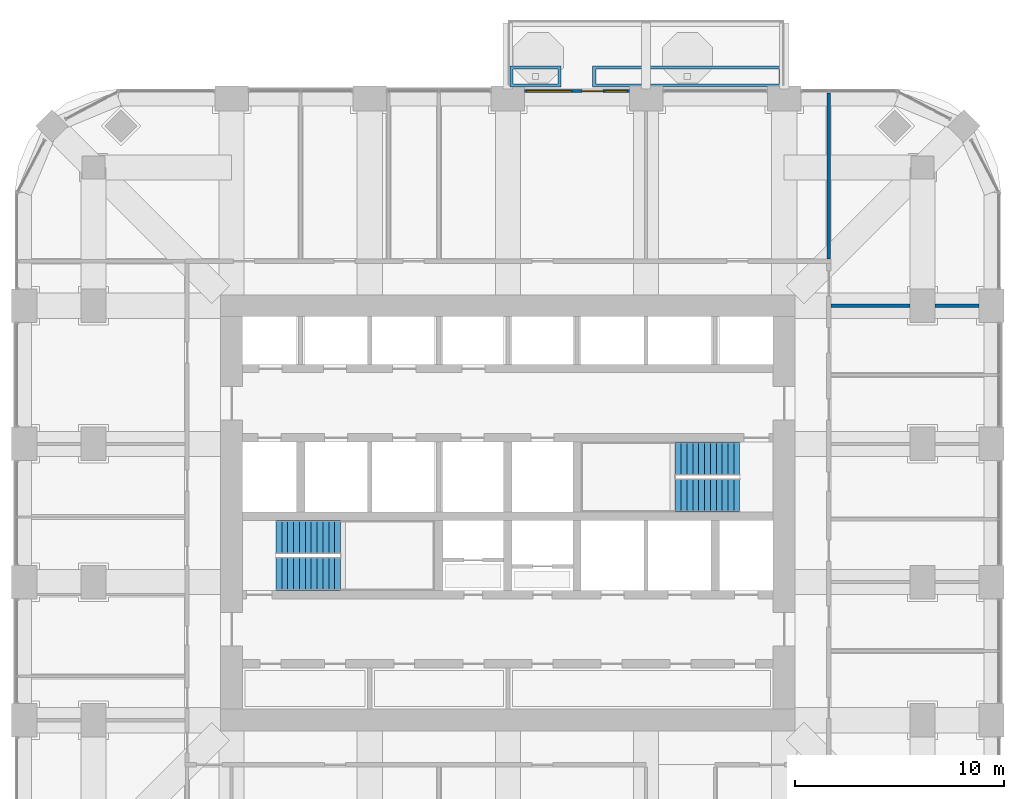
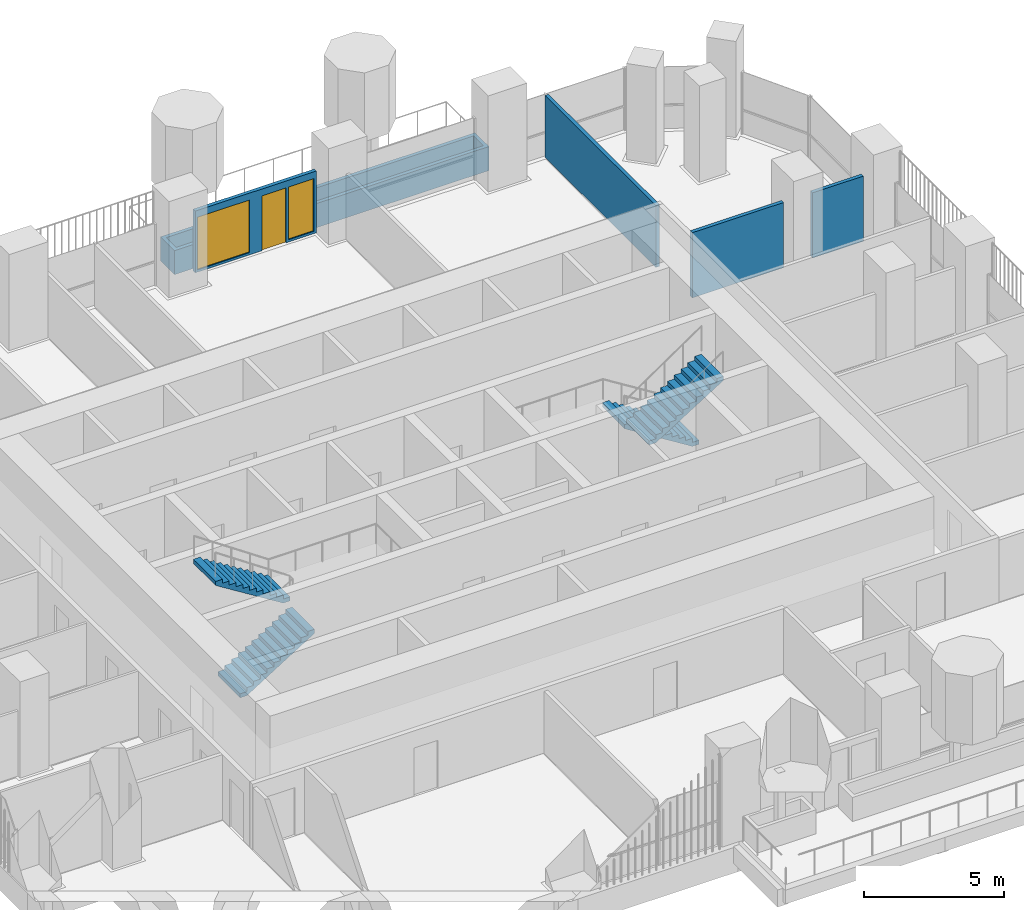
# One storey, part 16 of 20: 6 walls, 4 stair flights, 2 windows, 1 door, 3 openings, 2 elements without a shape of their own.
"""IFC4 building model written with IfcOpenShell, lengths in metres."""

from ifc_helpers import new_model, si_unit, direction, frame, frame_2d, origin, place, context, subcontext, project, spatial, polyline, rectangle, outline, extrude, material, layer, layer_set, type_object, element, fill, aggregate, save


model = new_model("IFC4")

# Units and contexts
model_context = context("Model", 3, precision=1e-05, world=origin(), true_north=direction((0.0, 1.0)))
body_context = subcontext(model_context, "Body", "Model", "MODEL_VIEW")
ifc_project = project(units=[si_unit("LENGTHUNIT", "METRE"), si_unit("AREAUNIT", "SQUARE_METRE"), si_unit("VOLUMEUNIT", "CUBIC_METRE"), si_unit("PLANEANGLEUNIT", "RADIAN"), si_unit("MASSUNIT", "GRAM", prefix="KILO")], contexts=[model_context])

# Site, building, storey
site_placement = place(None, origin())
site = spatial("IfcSite", under=ifc_project, at=site_placement, CompositionType="ELEMENT")
building_placement = place(site_placement, origin())
building = spatial("IfcBuilding", under=site, at=building_placement, Name="Cobogo Forest Laboratory Tower", CompositionType="ELEMENT")
storey_placement = place(building_placement, frame((0.0, 0.0, 180.89990234375)))
storey = spatial("IfcBuildingStorey", under=building, at=storey_placement, Name="L41", CompositionType="ELEMENT", Elevation=180.89990234375)

# Wall, openings, door, windows
ifc_material_1 = material(Name="Aluminium framed glazed screen", Category="aluminium")
ifc_layer_1 = layer(ifc_material_1, 0.14990234375)
ifc_layer_set_1 = layer_set([ifc_layer_1], Name="GS1 glazed door screen 150")
wall_type_1 = type_object("IfcWallType", Name="GS1 glazed door screen 150", PredefinedType="SOLIDWALL", material=ifc_layer_set_1)
wall_1_placement = place(storey_placement, frame((32.199951171875, 43.25, 0.0), z_axis=(0.0, 0.0, 1.0), x_axis=(-1.0, 0.0, 0.0)))
wall_1 = element("IfcWall", 1, at=wall_1_placement, inside=storey, type_object=wall_type_1, Name="Door screen BAL-N1 L41", PredefinedType="SOLIDWALL", context=body_context, shape_type="SweptSolid", body=[
    extrude(rectangle(XDim=5.0, YDim=0.14990234375, at=frame_2d((2.5, 0.0))), origin(), (0.0, 0.0, 1.0), 2.7001953125),
])
opening_1_placement = place(wall_1_placement, frame((1.25, 0.0, 0.0)))
opening_1 = element("IfcOpeningElement", 2, at=opening_1_placement, cuts=wall_1, Name="Opening L41-D43", PredefinedType="OPENING", context=body_context, shape_type="SweptSolid", body=[
    extrude(rectangle(XDim=1.0, YDim=2.39990234375, at=frame_2d((0.5, 1.199951171875))), frame((0.0, 0.0849609375, 0.0), z_axis=(0.0, -1.0, 0.0), x_axis=(1.0, 0.0, 0.0)), (0.0, 0.0, 1.0), 0.169921875),
])
opening_2_placement = place(wall_1_placement, frame((0.10009765625, 0.0, 0.10009765625)))
opening_2 = element("IfcOpeningElement", 3, at=opening_2_placement, cuts=wall_1, Name="Opening L41-W04", PredefinedType="OPENING", context=body_context, shape_type="SweptSolid", body=[
    extrude(rectangle(XDim=1.050048828125, YDim=2.300048828125, at=frame_2d((0.52490234375, 1.14990234375))), frame((0.0, 0.0849609375, 0.0), z_axis=(0.0, -1.0, 0.0), x_axis=(1.0, 0.0, 0.0)), (0.0, 0.0, 1.0), 0.169921875),
])
opening_3_placement = place(wall_1_placement, frame((2.75, 0.0, 0.10009765625)))
opening_3 = element("IfcOpeningElement", 4, at=opening_3_placement, cuts=wall_1, Name="Opening L41-W03", PredefinedType="OPENING", context=body_context, shape_type="SweptSolid", body=[
    extrude(rectangle(XDim=2.14990234375, YDim=2.300048828125, at=frame_2d((1.074951171875, 1.14990234375))), frame((0.0, 0.0849609375, 0.0), z_axis=(0.0, -1.0, 0.0), x_axis=(1.0, 0.0, 0.0)), (0.0, 0.0, 1.0), 0.169921875),
])
ifc_material_2 = material(Name="Aluminium glazed door", Category="aluminium")
door_type = type_object("IfcDoorType", Name="DB1 balcony door 1000 glazed", OperationType="SINGLE_SWING_LEFT", PredefinedType="DOOR", material=ifc_material_2)
door_placement = place(opening_1_placement, origin())
door = element("IfcDoor", 5, at=door_placement, inside=storey, type_object=door_type, Name="Door L41-BAL-N1", OperationType="SINGLE_SWING_LEFT", OverallHeight=2.39990234375, OverallWidth=1.0, PredefinedType="DOOR", context=body_context, shape_type="SweptSolid", body=[
    extrude(rectangle(XDim=1.0, YDim=2.39990234375, at=frame_2d((0.5, 1.199951171875))), frame((0.0, 0.02490234375, 0.0), z_axis=(0.0, -1.0, 0.0), x_axis=(1.0, 0.0, 0.0)), (0.0, 0.0, 1.0), 0.050048828125),
])
fill(opening_1, door)
ifc_material_3 = material(Name="Aluminium framed glazing", Category="aluminium")
window_type_1 = type_object("IfcWindowType", Name="WG13 fixed glazed light 2150x2300", PartitioningType="SINGLE_PANEL", PredefinedType="WINDOW", material=ifc_material_3)
window_1_placement = place(opening_3_placement, origin())
window_1 = element("IfcWindow", 6, at=window_1_placement, inside=storey, type_object=window_type_1, Name="Window L41-BAL-N1-2", OverallHeight=2.300048828125, OverallWidth=2.14990234375, PartitioningType="SINGLE_PANEL", PredefinedType="WINDOW", context=body_context, shape_type="SweptSolid", body=[
    extrude(rectangle(XDim=2.14990234375, YDim=2.300048828125, at=frame_2d((1.074951171875, 1.14990234375))), frame((0.0, 0.030029296875, 0.0), z_axis=(0.0, -1.0, 0.0), x_axis=(1.0, 0.0, 0.0)), (0.0, 0.0, 1.0), 0.06005859375),
])
fill(opening_3, window_1)
window_type_2 = type_object("IfcWindowType", Name="WG14 fixed glazed light 1050x2300", PartitioningType="SINGLE_PANEL", PredefinedType="WINDOW", material=ifc_material_3)
window_2_placement = place(opening_2_placement, origin())
window_2 = element("IfcWindow", 7, at=window_2_placement, inside=storey, type_object=window_type_2, Name="Window L41-BAL-N1-1", OverallHeight=2.300048828125, OverallWidth=1.050048828125, PartitioningType="SINGLE_PANEL", PredefinedType="WINDOW", context=body_context, shape_type="SweptSolid", body=[
    extrude(rectangle(XDim=1.050048828125, YDim=2.300048828125, at=frame_2d((0.52490234375, 1.14990234375))), frame((0.0, 0.030029296875, 0.0), z_axis=(0.0, -1.0, 0.0), x_axis=(1.0, 0.0, 0.0)), (0.0, 0.0, 1.0), 0.06005859375),
])
fill(opening_2, window_2)

# Walls
ifc_material_4 = material(Name="Gypsum board on steel studs", Category="steel")
ifc_layer_2 = layer(ifc_material_4, 0.14990234375)
ifc_layer_set_2 = layer_set([ifc_layer_2], Name="PT1 laboratory partition 150")
wall_type_2 = type_object("IfcWallType", Name="PT1 laboratory partition 150", PredefinedType="PARTITIONING", material=ifc_layer_set_2)
wall_2_placement = place(storey_placement, frame((41.72509765625, 43.169921875, 0.0), z_axis=(0.0, 0.0, 1.0), x_axis=(0.0, -1.0, 0.0)))
element("IfcWall", 8, at=wall_2_placement, inside=storey, type_object=wall_type_2, Name="Partition PW-NE L41", PredefinedType="PARTITIONING", context=body_context, shape_type="SweptSolid", body=[
    extrude(rectangle(XDim=7.94482421875, YDim=0.14990234375, at=frame_2d((3.972412109375, 0.0))), origin(), (0.0, 0.0, 1.0), 2.7001953125),
])
wall_3_placement = place(storey_placement, frame((48.89990234375, 33.0, 0.0), z_axis=(0.0, 0.0, 1.0), x_axis=(-1.0, 0.0, 0.0)))
element("IfcWall", 9, at=wall_3_placement, inside=storey, type_object=wall_type_2, Name="Partition CUT-E33-1 L41", PredefinedType="PARTITIONING", context=body_context, shape_type="SweptSolid", body=[
    extrude(rectangle(XDim=2.099853515625, YDim=0.14990234375, at=frame_2d((1.0498046875, 0.0))), origin(), (0.0, 0.0, 1.0), 2.85009765625),
])
wall_4_placement = place(storey_placement, frame((45.60009765625, 33.0, 0.0), z_axis=(0.0, 0.0, 1.0), x_axis=(-1.0, 0.0, 0.0)))
element("IfcWall", 10, at=wall_4_placement, inside=storey, type_object=wall_type_2, Name="Partition CUT-E33-2 L41", PredefinedType="PARTITIONING", context=body_context, shape_type="SweptSolid", body=[
    extrude(rectangle(XDim=3.775146484375, YDim=0.14990234375, at=frame_2d((1.8876953125, 0.0))), origin(), (0.0, 0.0, 1.0), 2.85009765625),
])
ifc_material_5 = material(Name="Concrete HA-40 (C40/50)", Category="concrete")
ifc_layer_3 = layer(ifc_material_5, 0.14990234375)
ifc_layer_set_3 = layer_set([ifc_layer_3], Name="Planter box 1000x1050")
wall_type_3 = type_object("IfcWallType", Name="Planter box 1000x1050", PredefinedType="USERDEFINED", material=ifc_layer_set_3)
wall_5_placement = place(storey_placement, origin())
element("IfcWall", 11, at=wall_5_placement, inside=storey, type_object=wall_type_3, Name="Planter BAL-N1-1 L41", ObjectType="PLANTER", PredefinedType="USERDEFINED", context=body_context, shape_type="SweptSolid", body=[
    extrude(outline(polyline([(26.5, 43.449951171875), (28.949951171875, 43.449951171875), (28.949951171875, 44.449951171875), (26.5, 44.449951171875), (26.5, 43.449951171875)]), holes=[polyline([(26.64990234375, 43.60009765625), (28.800048828125, 43.60009765625), (28.800048828125, 44.300048828125), (26.64990234375, 44.300048828125), (26.64990234375, 43.60009765625)])]), origin(), (0.0, 0.0, 1.0), 1.050048828125),
])
wall_6_placement = place(storey_placement, origin())
element("IfcWall", 12, at=wall_6_placement, inside=storey, type_object=wall_type_3, Name="Planter BAL-N1-2 L41", ObjectType="PLANTER", PredefinedType="USERDEFINED", context=body_context, shape_type="SweptSolid", body=[
    extrude(outline(polyline([(30.449951171875, 43.449951171875), (39.5, 43.449951171875), (39.5, 44.449951171875), (30.449951171875, 44.449951171875), (30.449951171875, 43.449951171875)]), holes=[polyline([(30.60009765625, 43.60009765625), (39.35009765625, 43.60009765625), (39.35009765625, 44.300048828125), (30.60009765625, 44.300048828125), (30.60009765625, 43.60009765625)])]), origin(), (0.0, 0.0, 1.0), 1.050048828125),
])

# Stair, stair flights
ifc_material_6 = material(Name="Precast concrete HA-40 (C40/50)", Category="concrete")
stair_type = type_object("IfcStairType", Name="ST24 exit stair 24 risers", PredefinedType="HALF_TURN_STAIR", material=ifc_material_6)
stair_1_placement = place(storey_placement, origin())
stair_1 = element("IfcStair", 13, at=stair_1_placement, inside=storey, type_object=stair_type, Name="Stair 1 L41 to L42", PredefinedType="HALF_TURN_STAIR")
stair_flight_type = type_object("IfcStairFlightType", Name="ST stair flight 280 going", PredefinedType="STRAIGHT", material=ifc_material_6)
stair_flight_1_placement = place(storey_placement, frame((15.324951171875, 20.199951171875, 0.0), z_axis=(0.0, 0.0, 1.0), x_axis=(1.0, 0.0, 0.0)))
stair_flight_1 = element("IfcStairFlight", 14, at=stair_flight_1_placement, type_object=stair_flight_type, Name="ST1 flight 1", NumberOfRisers=12, NumberOfTreads=11, PredefinedType="STRAIGHT", RiserHeight=0.175, TreadLength=0.28, context=body_context, shape_type="SweptSolid", body=[
    extrude(outline(polyline([(0.0, 0.0), (0.0, 0.175048828125), (0.280029296875, 0.175048828125), (0.280029296875, 0.35009765625), (0.56005859375, 0.35009765625), (0.56005859375, 0.52490234375), (0.840087890625, 0.52490234375), (0.840087890625, 0.699951171875), (1.1201171875, 0.699951171875), (1.1201171875, 0.875), (1.39990234375, 0.875), (1.39990234375, 1.050048828125), (1.679931640625, 1.050048828125), (1.679931640625, 1.22509765625), (1.9599609375, 1.22509765625), (1.9599609375, 1.39990234375), (2.239990234375, 1.39990234375), (2.239990234375, 1.574951171875), (2.52001953125, 1.574951171875), (2.52001953125, 1.75), (2.800048828125, 1.75), (2.800048828125, 1.925048828125), (3.080078125, 1.925048828125), (3.080078125, 2.10009765625), (3.080078125, 1.748291015625), (0.28271484375, 0.0), (0.0, 0.0)])), frame((0.0, 0.800048828125, 0.0), z_axis=(0.0, -1.0, 0.0), x_axis=(1.0, 0.0, 0.0)), (0.0, 0.0, 1.0), 1.60009765625),
])
stair_flight_2_placement = place(storey_placement, frame((18.405029296875, 21.949951171875, 2.10009765625), z_axis=(0.0, 0.0, 1.0), x_axis=(-1.0, 0.0, 0.0)))
stair_flight_2 = element("IfcStairFlight", 15, at=stair_flight_2_placement, type_object=stair_flight_type, Name="ST1 flight 2", NumberOfRisers=12, NumberOfTreads=11, PredefinedType="STRAIGHT", RiserHeight=0.175, TreadLength=0.28, context=body_context, shape_type="SweptSolid", body=[
    extrude(outline(polyline([(0.0, 0.0), (0.0, 0.175048828125), (0.280029296875, 0.175048828125), (0.280029296875, 0.35009765625), (0.56005859375, 0.35009765625), (0.56005859375, 0.52490234375), (0.840087890625, 0.52490234375), (0.840087890625, 0.699951171875), (1.1201171875, 0.699951171875), (1.1201171875, 0.875), (1.39990234375, 0.875), (1.39990234375, 1.050048828125), (1.679931640625, 1.050048828125), (1.679931640625, 1.22509765625), (1.9599609375, 1.22509765625), (1.9599609375, 1.39990234375), (2.239990234375, 1.39990234375), (2.239990234375, 1.574951171875), (2.52001953125, 1.574951171875), (2.52001953125, 1.75), (2.800048828125, 1.75), (2.800048828125, 1.925048828125), (3.080078125, 1.925048828125), (3.080078125, 2.10009765625), (3.080078125, 1.748291015625), (0.28271484375, 0.0), (0.0, 0.0)])), frame((0.0, 0.800048828125, 0.0), z_axis=(0.0, -1.0, 0.0), x_axis=(1.0, 0.0, 0.0)), (0.0, 0.0, 1.0), 1.60009765625),
])
aggregate(stair_1, [stair_flight_1, stair_flight_2])

stair_2_placement = place(storey_placement, origin())
stair_2 = element("IfcStair", 16, at=stair_2_placement, inside=storey, type_object=stair_type, Name="Stair 2 L41 to L42", PredefinedType="HALF_TURN_STAIR")
stair_flight_3_placement = place(storey_placement, frame((37.47509765625, 25.699951171875, 0.0), z_axis=(0.0, 0.0, 1.0), x_axis=(-1.0, 0.0, 0.0)))
stair_flight_3 = element("IfcStairFlight", 17, at=stair_flight_3_placement, type_object=stair_flight_type, Name="ST2 flight 1", NumberOfRisers=12, NumberOfTreads=11, PredefinedType="STRAIGHT", RiserHeight=0.175, TreadLength=0.28, context=body_context, shape_type="SweptSolid", body=[
    extrude(outline(polyline([(0.0, 0.0), (0.0, 0.175048828125), (0.280029296875, 0.175048828125), (0.280029296875, 0.35009765625), (0.56005859375, 0.35009765625), (0.56005859375, 0.52490234375), (0.840087890625, 0.52490234375), (0.840087890625, 0.699951171875), (1.1201171875, 0.699951171875), (1.1201171875, 0.875), (1.39990234375, 0.875), (1.39990234375, 1.050048828125), (1.679931640625, 1.050048828125), (1.679931640625, 1.22509765625), (1.9599609375, 1.22509765625), (1.9599609375, 1.39990234375), (2.239990234375, 1.39990234375), (2.239990234375, 1.574951171875), (2.52001953125, 1.574951171875), (2.52001953125, 1.75), (2.800048828125, 1.75), (2.800048828125, 1.925048828125), (3.080078125, 1.925048828125), (3.080078125, 2.10009765625), (3.080078125, 1.748291015625), (0.28271484375, 0.0), (0.0, 0.0)])), frame((0.0, 0.800048828125, 0.0), z_axis=(0.0, -1.0, 0.0), x_axis=(1.0, 0.0, 0.0)), (0.0, 0.0, 1.0), 1.60009765625),
])
stair_flight_4_placement = place(storey_placement, frame((34.39501953125, 23.949951171875, 2.10009765625), z_axis=(0.0, 0.0, 1.0), x_axis=(1.0, 0.0, 0.0)))
stair_flight_4 = element("IfcStairFlight", 18, at=stair_flight_4_placement, type_object=stair_flight_type, Name="ST2 flight 2", NumberOfRisers=12, NumberOfTreads=11, PredefinedType="STRAIGHT", RiserHeight=0.175, TreadLength=0.28, context=body_context, shape_type="SweptSolid", body=[
    extrude(outline(polyline([(0.0, 0.0), (0.0, 0.175048828125), (0.280029296875, 0.175048828125), (0.280029296875, 0.35009765625), (0.56005859375, 0.35009765625), (0.56005859375, 0.52490234375), (0.840087890625, 0.52490234375), (0.840087890625, 0.699951171875), (1.1201171875, 0.699951171875), (1.1201171875, 0.875), (1.39990234375, 0.875), (1.39990234375, 1.050048828125), (1.679931640625, 1.050048828125), (1.679931640625, 1.22509765625), (1.9599609375, 1.22509765625), (1.9599609375, 1.39990234375), (2.239990234375, 1.39990234375), (2.239990234375, 1.574951171875), (2.52001953125, 1.574951171875), (2.52001953125, 1.75), (2.800048828125, 1.75), (2.800048828125, 1.925048828125), (3.080078125, 1.925048828125), (3.080078125, 2.10009765625), (3.080078125, 1.748291015625), (0.28271484375, 0.0), (0.0, 0.0)])), frame((0.0, 0.800048828125, 0.0), z_axis=(0.0, -1.0, 0.0), x_axis=(1.0, 0.0, 0.0)), (0.0, 0.0, 1.0), 1.60009765625),
])
aggregate(stair_2, [stair_flight_3, stair_flight_4])

save(model, "model.ifc")
